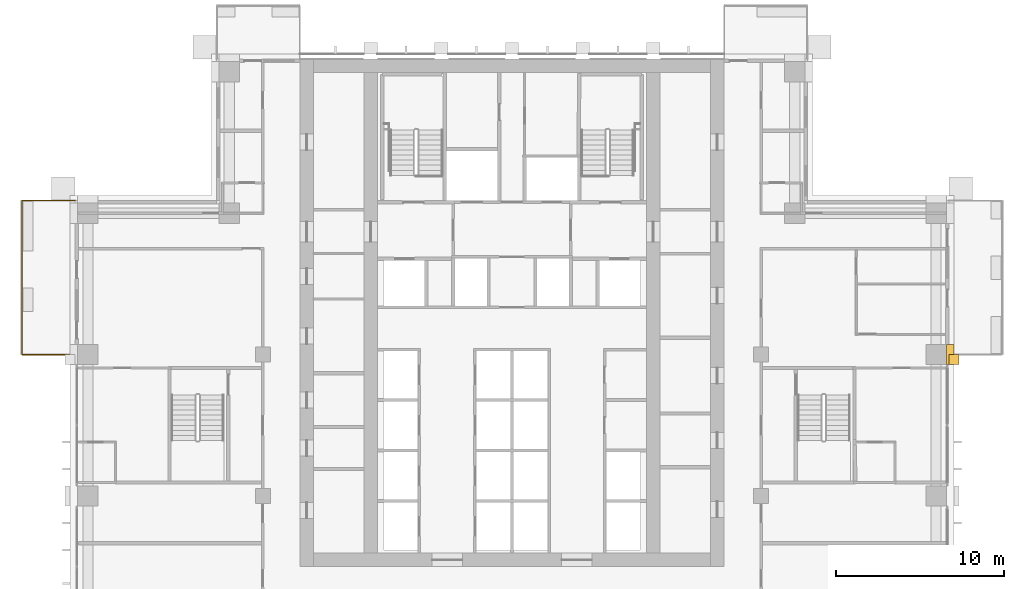
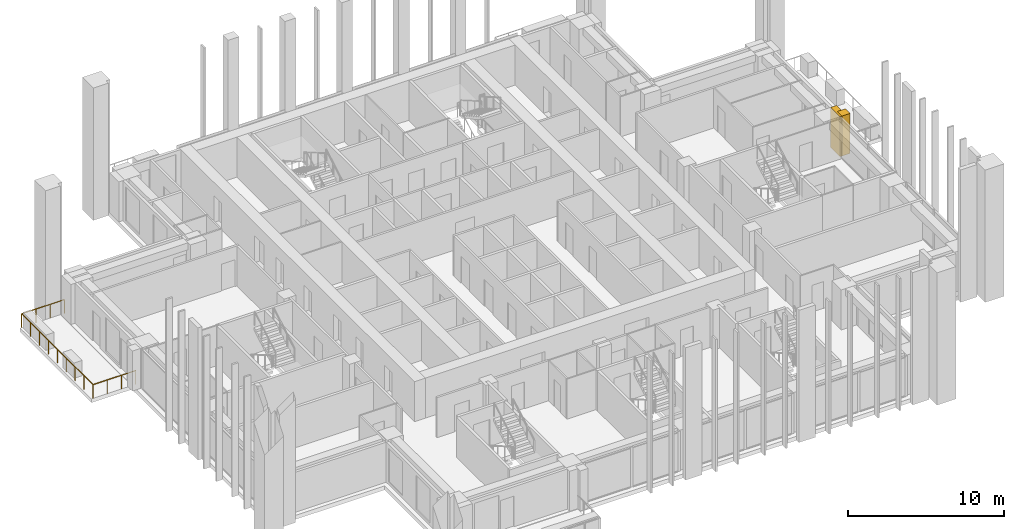
# One storey, part 16 of 18: 2 coverings, 1 railing.
"""IFC4 building model written with IfcOpenShell, lengths in metres."""

from ifc_helpers import new_model, si_unit, direction, frame, origin, origin_2d, place, context, subcontext, project, spatial, polyline, rectangle, outline, extrude, material, type_object, element, save


model = new_model("IFC4")

# Units and contexts
model_context = context("Model", 3, precision=1e-05, world=origin(), true_north=direction((0.0, 1.0)))
body_context = subcontext(model_context, "Body", "Model", "MODEL_VIEW")
ifc_project = project(units=[si_unit("LENGTHUNIT", "METRE"), si_unit("AREAUNIT", "SQUARE_METRE"), si_unit("VOLUMEUNIT", "CUBIC_METRE"), si_unit("PLANEANGLEUNIT", "RADIAN"), si_unit("MASSUNIT", "GRAM", prefix="KILO")], contexts=[model_context])

# Site, building, storey
site_placement = place(None, origin())
site = spatial("IfcSite", under=ifc_project, at=site_placement, CompositionType="ELEMENT")
building_placement = place(site_placement, origin())
building = spatial("IfcBuilding", under=site, at=building_placement, Name="Vermilion Ogive Tower", CompositionType="ELEMENT")
storey_placement = place(building_placement, frame((0.0, 0.0, 80.39990234375)))
storey = spatial("IfcBuildingStorey", under=building, at=storey_placement, Name="L19", CompositionType="ELEMENT", Elevation=80.39990234375)

# Railing
ifc_material_1 = material(Name="Stainless steel and glass", Category="steel")
railing_type = type_object("IfcRailingType", Name="Balcony guard", PredefinedType="GUARDRAIL", material=ifc_material_1)
railing_placement = place(storey_placement, frame((-25.949951171875, 13.35009765625, -0.039794921875)))
element("IfcRailing", 1, at=railing_placement, inside=storey, type_object=railing_type, Name="Guard W01", PredefinedType="GUARDRAIL", context=body_context, shape_type="SweptSolid", body=[
    extrude(rectangle(XDim=0.048095703125, YDim=0.048095703125, at=origin_2d()), frame((0.0, 0.0, 1.076171875), z_axis=(-1.0, 0.0, 0.0), x_axis=(0.0, -1.0, 0.0)), (0.0, 0.0, 1.0), 3.16015625),
    extrude(rectangle(XDim=0.048095703125, YDim=0.048095703125, at=origin_2d()), frame((-3.16015625, 0.0, 1.076171875), z_axis=(0.0, -1.0, 0.0), x_axis=(1.0, 0.0, 0.0)), (0.0, 0.0, 1.0), 9.150146484375),
    extrude(rectangle(XDim=0.048095703125, YDim=0.048095703125, at=origin_2d()), frame((-3.16015625, -9.150146484375, 1.076171875), z_axis=(1.0, 0.0, 0.0), x_axis=(0.0, 1.0, 0.0)), (0.0, 0.0, 1.0), 3.16015625),
    extrude(rectangle(XDim=0.0419921875, YDim=0.0419921875, at=origin_2d()), origin(), (0.0, 0.0, 1.0), 1.052001953125),
    extrude(rectangle(XDim=0.0419921875, YDim=0.0419921875, at=origin_2d()), frame((-1.053466796875, 0.0, 0.0)), (0.0, 0.0, 1.0), 1.052001953125),
    extrude(rectangle(XDim=0.0419921875, YDim=0.0419921875, at=origin_2d()), frame((-2.106689453125, 0.0, 0.0)), (0.0, 0.0, 1.0), 1.052001953125),
    extrude(rectangle(XDim=0.0419921875, YDim=0.0419921875, at=origin_2d()), frame((-3.16015625, 0.0, 0.0)), (0.0, 0.0, 1.0), 1.052001953125),
    extrude(rectangle(XDim=0.0419921875, YDim=0.0419921875, at=origin_2d()), frame((-3.16015625, -1.143798828125, 0.0)), (0.0, 0.0, 1.0), 1.052001953125),
    extrude(rectangle(XDim=0.0419921875, YDim=0.0419921875, at=origin_2d()), frame((-3.16015625, -2.28759765625, 0.0)), (0.0, 0.0, 1.0), 1.052001953125),
    extrude(rectangle(XDim=0.0419921875, YDim=0.0419921875, at=origin_2d()), frame((-3.16015625, -3.431396484375, 0.0)), (0.0, 0.0, 1.0), 1.052001953125),
    extrude(rectangle(XDim=0.0419921875, YDim=0.0419921875, at=origin_2d()), frame((-3.16015625, -4.5751953125, 0.0)), (0.0, 0.0, 1.0), 1.052001953125),
    extrude(rectangle(XDim=0.0419921875, YDim=0.0419921875, at=origin_2d()), frame((-3.16015625, -5.71875, 0.0)), (0.0, 0.0, 1.0), 1.052001953125),
    extrude(rectangle(XDim=0.0419921875, YDim=0.0419921875, at=origin_2d()), frame((-3.16015625, -6.862548828125, 0.0)), (0.0, 0.0, 1.0), 1.052001953125),
    extrude(rectangle(XDim=0.0419921875, YDim=0.0419921875, at=origin_2d()), frame((-3.16015625, -8.00634765625, 0.0)), (0.0, 0.0, 1.0), 1.052001953125),
    extrude(rectangle(XDim=0.0419921875, YDim=0.0419921875, at=origin_2d()), frame((-3.16015625, -9.150146484375, 0.0)), (0.0, 0.0, 1.0), 1.052001953125),
    extrude(rectangle(XDim=0.0419921875, YDim=0.0419921875, at=origin_2d()), frame((-2.106689453125, -9.150146484375, 0.0)), (0.0, 0.0, 1.0), 1.052001953125),
    extrude(rectangle(XDim=0.0419921875, YDim=0.0419921875, at=origin_2d()), frame((-1.053466796875, -9.150146484375, 0.0)), (0.0, 0.0, 1.0), 1.052001953125),
    extrude(rectangle(XDim=0.0419921875, YDim=0.0419921875, at=origin_2d()), frame((0.0, -9.150146484375, 0.0)), (0.0, 0.0, 1.0), 1.052001953125),
])

# Coverings
ifc_material_2 = material(Name="Stone cladding", Category="masonry")
covering_type_1 = type_object("IfcCoveringType", Name="Stone corner buttress", PredefinedType="CLADDING", material=ifc_material_2)
covering_1_placement = place(storey_placement, origin())
element("IfcCovering", 2, at=covering_1_placement, inside=storey, type_object=covering_type_1, Name="Stone crease pier EK", PredefinedType="CLADDING", context=body_context, shape_type="SweptSolid", body=[
    extrude(outline(polyline([(26.550048828125, 3.60009765625), (26.550048828125, 4.199951171875), (25.949951171875, 4.199951171875), (25.949951171875, 3.60009765625), (26.550048828125, 3.60009765625)])), origin(), (0.0, 0.0, 1.0), 3.130126953125),
])
ifc_material_3 = material(Name="Stone cladding", Category="masonry")
covering_type_2 = type_object("IfcCoveringType", Name="Stone pier", PredefinedType="CLADDING", material=ifc_material_3)
covering_2_placement = place(storey_placement, origin())
element("IfcCovering", 3, at=covering_2_placement, inside=storey, type_object=covering_type_2, Name="Stone pier P+0252+042", PredefinedType="CLADDING", context=body_context, shape_type="SweptSolid", body=[
    extrude(outline(polyline([(25.800048828125, 4.800048828125), (25.800048828125, 4.800048828125), (26.25, 4.800048828125), (26.25, 4.199951171875), (25.949951171875, 4.199951171875), (25.949951171875, 3.60009765625), (26.25, 3.60009765625), (26.25, 3.60009765625), (25.800048828125, 3.60009765625), (25.800048828125, 3.60009765625), (25.800048828125, 4.800048828125)])), origin(), (0.0, 0.0, 1.0), 3.130126953125),
])

save(model, "model.ifc")
